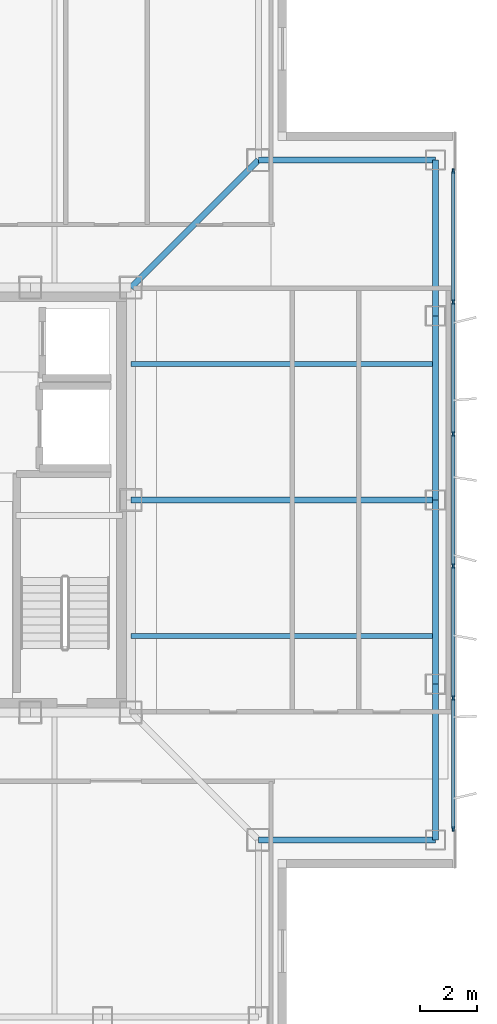
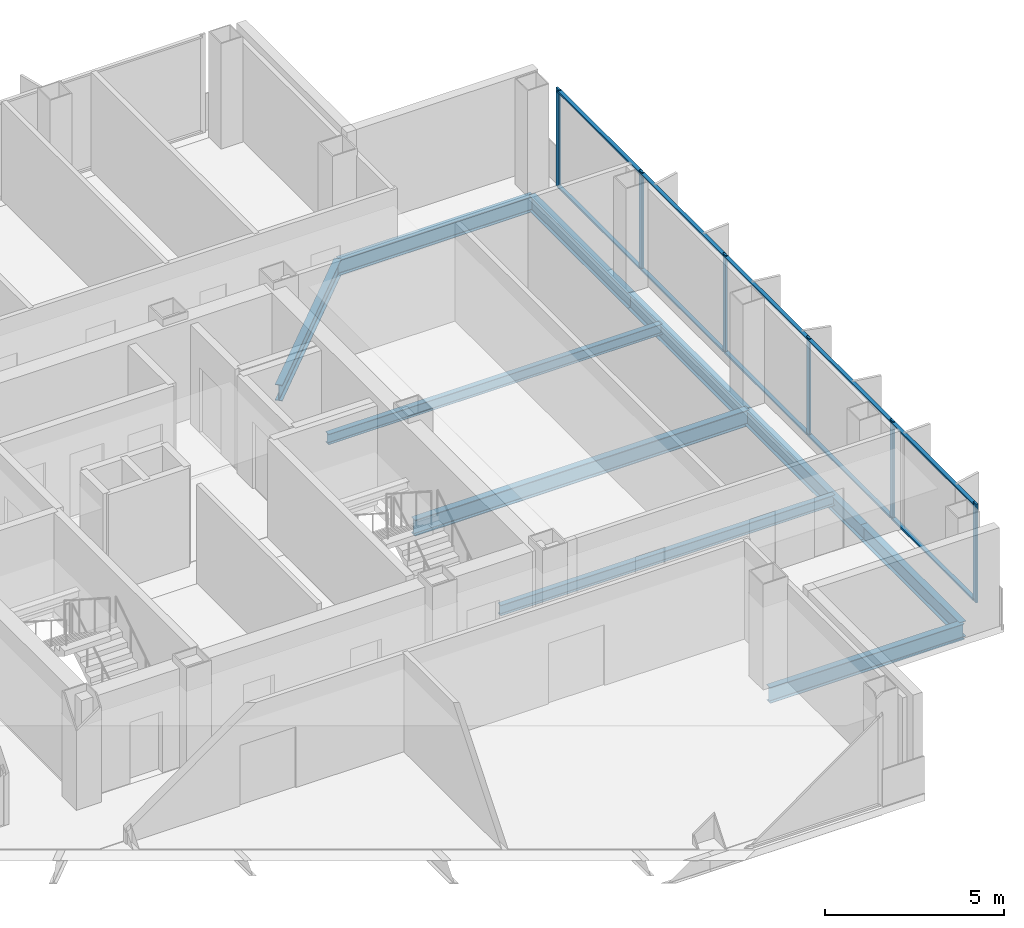
# One storey, part 5 of 15: 16 members, 10 beams, 1 element without a shape of its own.
"""IFC4 building model written with IfcOpenShell, lengths in metres."""

from ifc_helpers import new_model, si_unit, direction, frame, origin, origin_2d, place, context, subcontext, project, spatial, rectangle, i_section, extrude, material, layer, layer_set, material_profile, profile_set, type_object, element, aggregate, save


model = new_model("IFC4")

# Units and contexts
model_context = context("Model", 3, precision=1e-05, world=origin(), true_north=direction((0.0, 1.0)))
body_context = subcontext(model_context, "Body", "Model", "MODEL_VIEW")
ifc_project = project(units=[si_unit("LENGTHUNIT", "METRE"), si_unit("AREAUNIT", "SQUARE_METRE"), si_unit("VOLUMEUNIT", "CUBIC_METRE"), si_unit("PLANEANGLEUNIT", "RADIAN"), si_unit("MASSUNIT", "GRAM", prefix="KILO")], contexts=[model_context])

# Site, building, storey
site_placement = place(None, origin())
site = spatial("IfcSite", under=ifc_project, at=site_placement, CompositionType="ELEMENT")
building_placement = place(site_placement, origin())
building = spatial("IfcBuilding", under=site, at=building_placement, Name="Trevonay Congress Spire", CompositionType="ELEMENT")
storey_placement = place(building_placement, frame((0.0, 0.0, 272.0)))
storey = spatial("IfcBuildingStorey", under=building, at=storey_placement, Name="L71", CompositionType="ELEMENT", Elevation=272.0)

# Beams
ifc_material_1 = material(Name="Steel ASTM A572 Grade 50", Category="steel")
ifc_material_profile_1 = material_profile(ifc_material_1, i_section(OverallWidth=0.2119140625, OverallDepth=0.5439453125, WebThickness=0.01318359375, FlangeThickness=0.021240234375, FilletRadius=0.014892578125, at=origin_2d()), Name="W530x123")
ifc_profile_set_1 = profile_set([ifc_material_profile_1], Name="Steel ASTM A572 Grade 50")
beam_type_1 = type_object("IfcBeamType", Name="BM-GIRD-W530X123", PredefinedType="BEAM", material=ifc_profile_set_1)
beam_1_placement = place(storey_placement, frame((7.5, 7.5, -0.511962890625), z_axis=(0.707106781187, 0.707106781187, 0.0), x_axis=(-0.707106781187, 0.707106781187, 0.0)))
element("IfcBeam", 1, at=beam_1_placement, inside=storey, type_object=beam_type_1, Name="L71 structural beam BM-L71-CDNE", PredefinedType="BEAM", context=body_context, shape_type="SweptSolid", body=[
    extrude(i_section(OverallWidth=0.2119140625, OverallDepth=0.5439453125, WebThickness=0.01318359375, FlangeThickness=0.021240234375, FilletRadius=0.014892578125, at=origin_2d()), origin(), (0.0, 0.0, 1.0), 6.364013671875),
])
beam_2_placement = place(storey_placement, frame((7.5, 0.0, -0.511962890625), z_axis=(1.0, 0.0, 0.0), x_axis=(0.0, 1.0, 0.0)))
element("IfcBeam", 2, at=beam_2_placement, inside=storey, type_object=beam_type_1, Name="L71 structural beam BM-L71-GC-E", PredefinedType="BEAM", context=body_context, shape_type="SweptSolid", body=[
    extrude(i_section(OverallWidth=0.2119140625, OverallDepth=0.5439453125, WebThickness=0.01318359375, FlangeThickness=0.021240234375, FilletRadius=0.014892578125, at=origin_2d()), origin(), (0.0, 0.0, 1.0), 10.75),
])
ifc_material_profile_2 = material_profile(ifc_material_1, i_section(OverallWidth=0.208984375, OverallDepth=0.532958984375, WebThickness=0.01025390625, FlangeThickness=0.015625, FilletRadius=0.014892578125, at=origin_2d()), Name="W530x92")
ifc_profile_set_2 = profile_set([ifc_material_profile_2], Name="Steel ASTM A572 Grade 50")
beam_type_2 = type_object("IfcBeamType", Name="BM-RING-W530X92", PredefinedType="BEAM", material=ifc_profile_set_2)
beam_3_placement = place(storey_placement, frame((18.25, -12.0, -0.506591796875), z_axis=(0.0, 1.0, 0.0), x_axis=(-1.0, 0.0, 0.0)))
element("IfcBeam", 3, at=beam_3_placement, inside=storey, type_object=beam_type_2, Name="L71 structural beam BM-L71-PE1", PredefinedType="BEAM", context=body_context, shape_type="SweptSolid", body=[
    extrude(i_section(OverallWidth=0.208984375, OverallDepth=0.532958984375, WebThickness=0.01025390625, FlangeThickness=0.015625, FilletRadius=0.014892578125, at=origin_2d()), origin(), (0.0, 0.0, 1.0), 5.5),
])
for number, where, z_axis, x_axis, name in (
    (4, (18.25, -6.5, -0.506591796875), (0.0, 1.0, 0.0), (-1.0, 0.0, 0.0), "L71 structural beam BM-L71-PE2"),
    (5, (18.25, 0.0, -0.506591796875), (0.0, 1.0, 0.0), (-1.0, 0.0, 0.0), "L71 structural beam BM-L71-PE3"),
):
    element("IfcBeam", number, at=place(storey_placement, frame(where, z_axis=z_axis, x_axis=x_axis)), inside=storey, type_object=beam_type_2, Name=name, PredefinedType="BEAM", context=body_context, shape_type="SweptSolid", body=[
        extrude(i_section(OverallWidth=0.208984375, OverallDepth=0.532958984375, WebThickness=0.01025390625, FlangeThickness=0.015625, FilletRadius=0.014892578125, at=origin_2d()), origin(), (0.0, 0.0, 1.0), 6.5),
    ])
beam_4_placement = place(storey_placement, frame((18.25, 6.5, -0.506591796875), z_axis=(0.0, 1.0, 0.0), x_axis=(-1.0, 0.0, 0.0)))
element("IfcBeam", 6, at=beam_4_placement, inside=storey, type_object=beam_type_2, Name="L71 structural beam BM-L71-PE4", PredefinedType="BEAM", context=body_context, shape_type="SweptSolid", body=[
    extrude(i_section(OverallWidth=0.208984375, OverallDepth=0.532958984375, WebThickness=0.01025390625, FlangeThickness=0.015625, FilletRadius=0.014892578125, at=origin_2d()), origin(), (0.0, 0.0, 1.0), 5.5),
])
for number, where, z_axis, x_axis, name in (
    (7, (18.25, -12.0, -0.506591796875), (-1.0, 0.0, 0.0), (0.0, -1.0, 0.0), "L71 structural beam BM-L71-N2SE"),
    (8, (18.25, 12.0, -0.506591796875), (-1.0, 0.0, 0.0), (0.0, -1.0, 0.0), "L71 structural beam BM-L71-N2NE"),
):
    element("IfcBeam", number, at=place(storey_placement, frame(where, z_axis=z_axis, x_axis=x_axis)), inside=storey, type_object=beam_type_2, Name=name, PredefinedType="BEAM", context=body_context, shape_type="SweptSolid", body=[
        extrude(i_section(OverallWidth=0.208984375, OverallDepth=0.532958984375, WebThickness=0.01025390625, FlangeThickness=0.015625, FilletRadius=0.014892578125, at=origin_2d()), origin(), (0.0, 0.0, 1.0), 6.25),
    ])

# Curtain wall, members
ifc_material_2 = material(Name="Pale Anodised Aluminium EN AW-6063-T6", Category="aluminium")
ifc_layer = layer(ifc_material_2, 0.1650390625, Name="Pale Anodised Aluminium EN AW-6063-T6")
ifc_layer_set = layer_set([ifc_layer], Name="Pale Anodised Aluminium EN AW-6063-T6")
curtain_wall_type = type_object("IfcCurtainWallType", Name="CW-SYS05-DIPLOM-PALE-METAL", PredefinedType="NOTDEFINED", material=ifc_layer_set)
curtain_wall_placement = place(storey_placement, origin())
curtain_wall = element("IfcCurtainWall", 9, at=curtain_wall_placement, inside=storey, type_object=curtain_wall_type, Name="L71 E unitised curtain wall", PredefinedType="NOTDEFINED")
ifc_material_profile_3 = material_profile(ifc_material_2, rectangle(XDim=0.06005859375, YDim=0.159912109375, at=origin_2d()), Name="CW-MULLION-160-ALUMINIUM")
ifc_profile_set_3 = profile_set([ifc_material_profile_3], Name="Pale Anodised Aluminium EN AW-6063-T6")
member_type_1 = type_object("IfcMemberType", Name="CW-MULLION-160-ALUMINIUM", PredefinedType="MULLION", material=ifc_profile_set_3)
member_1_placement = place(storey_placement, frame((18.8798828125, -11.6201171875, 0.0), z_axis=(0.0, 0.0, 1.0), x_axis=(-1.0, 0.0, 0.0)))
member_1 = element("IfcMember", 10, at=member_1_placement, type_object=member_type_1, Name="CW05 mullion 1", PredefinedType="MULLION", context=body_context, shape_type="SweptSolid", body=[
    extrude(rectangle(XDim=0.06005859375, YDim=0.159912109375, at=origin_2d()), origin(), (0.0, 0.0, 1.0), 3.360107421875),
])
member_2_placement = place(storey_placement, frame((18.8798828125, -6.989990234375, 0.0), z_axis=(0.0, 0.0, 1.0), x_axis=(-1.0, 0.0, 0.0)))
member_2 = element("IfcMember", 11, at=member_2_placement, type_object=member_type_1, Name="CW05 mullion 2", PredefinedType="MULLION", context=body_context, shape_type="SweptSolid", body=[
    extrude(rectangle(XDim=0.06005859375, YDim=0.159912109375, at=origin_2d()), origin(), (0.0, 0.0, 1.0), 3.360107421875),
])
member_3_placement = place(storey_placement, frame((18.8798828125, -2.330078125, 0.0), z_axis=(0.0, 0.0, 1.0), x_axis=(-1.0, 0.0, 0.0)))
member_3 = element("IfcMember", 12, at=member_3_placement, type_object=member_type_1, Name="CW05 mullion 3", PredefinedType="MULLION", context=body_context, shape_type="SweptSolid", body=[
    extrude(rectangle(XDim=0.06005859375, YDim=0.159912109375, at=origin_2d()), origin(), (0.0, 0.0, 1.0), 3.360107421875),
])
member_4_placement = place(storey_placement, frame((18.8798828125, 2.330078125, 0.0), z_axis=(0.0, 0.0, 1.0), x_axis=(-1.0, 0.0, 0.0)))
member_4 = element("IfcMember", 13, at=member_4_placement, type_object=member_type_1, Name="CW05 mullion 4", PredefinedType="MULLION", context=body_context, shape_type="SweptSolid", body=[
    extrude(rectangle(XDim=0.06005859375, YDim=0.159912109375, at=origin_2d()), origin(), (0.0, 0.0, 1.0), 3.360107421875),
])
member_5_placement = place(storey_placement, frame((18.8798828125, 6.989990234375, 0.0), z_axis=(0.0, 0.0, 1.0), x_axis=(-1.0, 0.0, 0.0)))
member_5 = element("IfcMember", 14, at=member_5_placement, type_object=member_type_1, Name="CW05 mullion 5", PredefinedType="MULLION", context=body_context, shape_type="SweptSolid", body=[
    extrude(rectangle(XDim=0.06005859375, YDim=0.159912109375, at=origin_2d()), origin(), (0.0, 0.0, 1.0), 3.360107421875),
])
member_6_placement = place(storey_placement, frame((18.8798828125, 11.6201171875, 0.0), z_axis=(0.0, 0.0, 1.0), x_axis=(-1.0, 0.0, 0.0)))
member_6 = element("IfcMember", 15, at=member_6_placement, type_object=member_type_1, Name="CW05 mullion 6", PredefinedType="MULLION", context=body_context, shape_type="SweptSolid", body=[
    extrude(rectangle(XDim=0.06005859375, YDim=0.159912109375, at=origin_2d()), origin(), (0.0, 0.0, 1.0), 3.360107421875),
])
ifc_material_profile_4 = material_profile(ifc_material_2, rectangle(XDim=0.1201171875, YDim=0.06005859375, at=origin_2d()), Name="CW-TRANSOM-120-ALUMINIUM")
ifc_profile_set_4 = profile_set([ifc_material_profile_4], Name="Pale Anodised Aluminium EN AW-6063-T6")
member_type_2 = type_object("IfcMemberType", Name="CW-TRANSOM-120-ALUMINIUM", PredefinedType="USERDEFINED", material=ifc_profile_set_4)
member_7_placement = place(storey_placement, frame((18.8798828125, -11.590087890625, 0.06005859375), z_axis=(0.0, 1.0, 0.0), x_axis=(-1.0, 0.0, 0.0)))
member_7 = element("IfcMember", 16, at=member_7_placement, type_object=member_type_2, Name="CW05 transom 1.1", ObjectType="TRANSOM", PredefinedType="USERDEFINED", context=body_context, shape_type="SweptSolid", body=[
    extrude(rectangle(XDim=0.1201171875, YDim=0.06005859375, at=origin_2d()), origin(), (0.0, 0.0, 1.0), 4.570068359375),
])
member_8_placement = place(storey_placement, frame((18.8798828125, -11.590087890625, 3.300048828125), z_axis=(0.0, 1.0, 0.0), x_axis=(-1.0, 0.0, 0.0)))
member_8 = element("IfcMember", 17, at=member_8_placement, type_object=member_type_2, Name="CW05 transom 1.2", ObjectType="TRANSOM", PredefinedType="USERDEFINED", context=body_context, shape_type="SweptSolid", body=[
    extrude(rectangle(XDim=0.1201171875, YDim=0.06005859375, at=origin_2d()), origin(), (0.0, 0.0, 1.0), 4.570068359375),
])
member_9_placement = place(storey_placement, frame((18.8798828125, -6.9599609375, 0.06005859375), z_axis=(0.0, 1.0, 0.0), x_axis=(-1.0, 0.0, 0.0)))
member_9 = element("IfcMember", 18, at=member_9_placement, type_object=member_type_2, Name="CW05 transom 2.1", ObjectType="TRANSOM", PredefinedType="USERDEFINED", context=body_context, shape_type="SweptSolid", body=[
    extrude(rectangle(XDim=0.1201171875, YDim=0.06005859375, at=origin_2d()), origin(), (0.0, 0.0, 1.0), 4.599853515625),
])
member_10_placement = place(storey_placement, frame((18.8798828125, -6.9599609375, 3.300048828125), z_axis=(0.0, 1.0, 0.0), x_axis=(-1.0, 0.0, 0.0)))
member_10 = element("IfcMember", 19, at=member_10_placement, type_object=member_type_2, Name="CW05 transom 2.2", ObjectType="TRANSOM", PredefinedType="USERDEFINED", context=body_context, shape_type="SweptSolid", body=[
    extrude(rectangle(XDim=0.1201171875, YDim=0.06005859375, at=origin_2d()), origin(), (0.0, 0.0, 1.0), 4.599853515625),
])
member_11_placement = place(storey_placement, frame((18.8798828125, -2.300048828125, 0.06005859375), z_axis=(0.0, 1.0, 0.0), x_axis=(-1.0, 0.0, 0.0)))
member_11 = element("IfcMember", 20, at=member_11_placement, type_object=member_type_2, Name="CW05 transom 3.1", ObjectType="TRANSOM", PredefinedType="USERDEFINED", context=body_context, shape_type="SweptSolid", body=[
    extrude(rectangle(XDim=0.1201171875, YDim=0.06005859375, at=origin_2d()), origin(), (0.0, 0.0, 1.0), 4.60009765625),
])
member_12_placement = place(storey_placement, frame((18.8798828125, -2.300048828125, 3.300048828125), z_axis=(0.0, 1.0, 0.0), x_axis=(-1.0, 0.0, 0.0)))
member_12 = element("IfcMember", 21, at=member_12_placement, type_object=member_type_2, Name="CW05 transom 3.2", ObjectType="TRANSOM", PredefinedType="USERDEFINED", context=body_context, shape_type="SweptSolid", body=[
    extrude(rectangle(XDim=0.1201171875, YDim=0.06005859375, at=origin_2d()), origin(), (0.0, 0.0, 1.0), 4.60009765625),
])
member_13_placement = place(storey_placement, frame((18.8798828125, 2.360107421875, 0.06005859375), z_axis=(0.0, 1.0, 0.0), x_axis=(-1.0, 0.0, 0.0)))
member_13 = element("IfcMember", 22, at=member_13_placement, type_object=member_type_2, Name="CW05 transom 4.1", ObjectType="TRANSOM", PredefinedType="USERDEFINED", context=body_context, shape_type="SweptSolid", body=[
    extrude(rectangle(XDim=0.1201171875, YDim=0.06005859375, at=origin_2d()), origin(), (0.0, 0.0, 1.0), 4.599853515625),
])
member_14_placement = place(storey_placement, frame((18.8798828125, 2.360107421875, 3.300048828125), z_axis=(0.0, 1.0, 0.0), x_axis=(-1.0, 0.0, 0.0)))
member_14 = element("IfcMember", 23, at=member_14_placement, type_object=member_type_2, Name="CW05 transom 4.2", ObjectType="TRANSOM", PredefinedType="USERDEFINED", context=body_context, shape_type="SweptSolid", body=[
    extrude(rectangle(XDim=0.1201171875, YDim=0.06005859375, at=origin_2d()), origin(), (0.0, 0.0, 1.0), 4.599853515625),
])
member_15_placement = place(storey_placement, frame((18.8798828125, 7.02001953125, 0.06005859375), z_axis=(0.0, 1.0, 0.0), x_axis=(-1.0, 0.0, 0.0)))
member_15 = element("IfcMember", 24, at=member_15_placement, type_object=member_type_2, Name="CW05 transom 5.1", ObjectType="TRANSOM", PredefinedType="USERDEFINED", context=body_context, shape_type="SweptSolid", body=[
    extrude(rectangle(XDim=0.1201171875, YDim=0.06005859375, at=origin_2d()), origin(), (0.0, 0.0, 1.0), 4.570068359375),
])
member_16_placement = place(storey_placement, frame((18.8798828125, 7.02001953125, 3.300048828125), z_axis=(0.0, 1.0, 0.0), x_axis=(-1.0, 0.0, 0.0)))
member_16 = element("IfcMember", 25, at=member_16_placement, type_object=member_type_2, Name="CW05 transom 5.2", ObjectType="TRANSOM", PredefinedType="USERDEFINED", context=body_context, shape_type="SweptSolid", body=[
    extrude(rectangle(XDim=0.1201171875, YDim=0.06005859375, at=origin_2d()), origin(), (0.0, 0.0, 1.0), 4.570068359375),
])
aggregate(curtain_wall, [member_1, member_2, member_3, member_4, member_5, member_6, member_7, member_8, member_9, member_10, member_11, member_12, member_13, member_14, member_15, member_16])

# Beams
ifc_material_profile_5 = material_profile(ifc_material_1, i_section(OverallWidth=0.172119140625, OverallDepth=0.35791015625, WebThickness=0.0078125, FlangeThickness=0.01318359375, FilletRadius=0.011962890625, at=origin_2d()), Name="W360x57.8")
ifc_profile_set_5 = profile_set([ifc_material_profile_5], Name="Steel ASTM A572 Grade 50")
beam_type_3 = type_object("IfcBeamType", Name="JS-COMP-W360X57", PredefinedType="JOIST", material=ifc_profile_set_5)
for number, where, z_axis, x_axis, name in (
    (26, (7.5, -4.800048828125, -0.4189453125), (1.0, 0.0, 0.0), (0.0, 1.0, 0.0), "L71 structural beam JS-L71-EW-E1"),
    (27, (7.5, 4.800048828125, -0.4189453125), (1.0, 0.0, 0.0), (0.0, 1.0, 0.0), "L71 structural beam JS-L71-EW-E3"),
):
    element("IfcBeam", number, at=place(storey_placement, frame(where, z_axis=z_axis, x_axis=x_axis)), inside=storey, type_object=beam_type_3, Name=name, PredefinedType="JOIST", context=body_context, shape_type="SweptSolid", body=[
        extrude(i_section(OverallWidth=0.172119140625, OverallDepth=0.35791015625, WebThickness=0.0078125, FlangeThickness=0.01318359375, FilletRadius=0.011962890625, at=origin_2d()), origin(), (0.0, 0.0, 1.0), 10.75),
    ])

save(model, "model.ifc")
